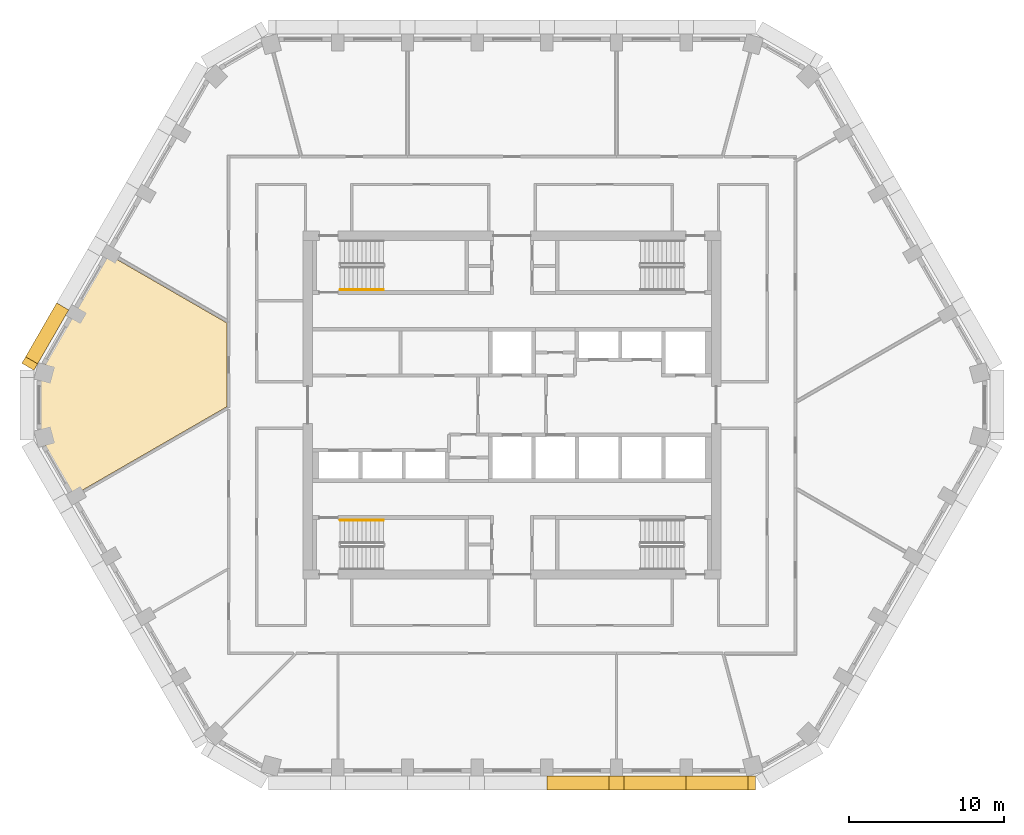
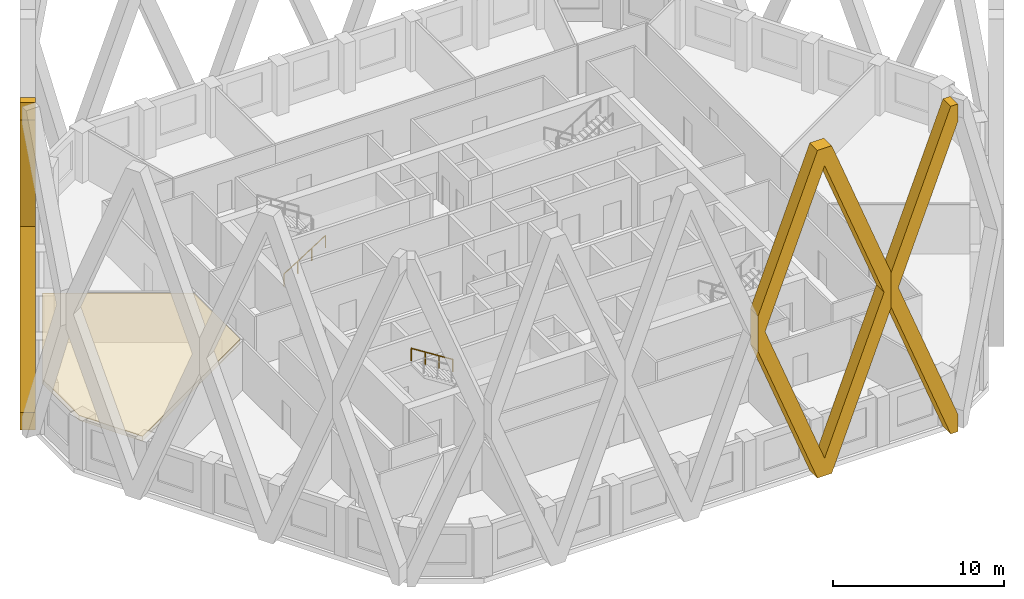
# One storey, part 11 of 16: 4 coverings, 2 railings.
"""IFC4 building model written with IfcOpenShell, lengths in metres."""

from ifc_helpers import new_model, si_unit, direction, frame, origin, origin_2d, place, context, subcontext, project, spatial, polyline, circle, outline, extrude, material, layer, layer_set, type_object, element, save


model = new_model("IFC4")

# Units and contexts
model_context = context("Model", 3, precision=1e-05, world=origin(), true_north=direction((0.0, 1.0)))
body_context = subcontext(model_context, "Body", "Model", "MODEL_VIEW")
ifc_project = project(units=[si_unit("LENGTHUNIT", "METRE"), si_unit("AREAUNIT", "SQUARE_METRE"), si_unit("VOLUMEUNIT", "CUBIC_METRE"), si_unit("PLANEANGLEUNIT", "RADIAN"), si_unit("MASSUNIT", "GRAM", prefix="KILO")], contexts=[model_context])

# Site, building, storey
site_placement = place(None, origin())
site = spatial("IfcSite", under=ifc_project, at=site_placement, CompositionType="ELEMENT")
building_placement = place(site_placement, origin())
building = spatial("IfcBuilding", under=site, at=building_placement, Name="Dhurran Vertical Campus", CompositionType="ELEMENT")
storey_placement = place(building_placement, frame((0.0, 0.0, 183.89990234375)))
storey = spatial("IfcBuildingStorey", under=building, at=storey_placement, Name="L45", CompositionType="ELEMENT", Elevation=183.89990234375)

# Coverings
ifc_material_1 = material(Name="Precast concrete C50/60", Category="concrete")
covering_type_1 = type_object("IfcCoveringType", Name="Folded precast fin lattice diamond", PredefinedType="USERDEFINED", material=ifc_material_1)
covering_1_placement = place(storey_placement, frame((2.25, -23.985595703125, 0.0), z_axis=(0.0, -1.0, 0.0), x_axis=(1.0, 0.0, 0.0)))
element("IfcCovering", 1, at=covering_1_placement, inside=storey, type_object=covering_type_1, Name="FN1 L45.003", ObjectType="FIN", PredefinedType="USERDEFINED", context=body_context, shape_type="SweptSolid", body=[
    extrude(outline(polyline([(9.0, 12.95361328125), (9.0, 10.4462890625), (4.982177734375, 0.0), (4.017822265625, 0.0), (0.0, 10.4462890625), (0.0, 12.95361328125), (4.017822265625, 23.39990234375), (4.982177734375, 23.39990234375), (9.0, 12.95361328125)]), holes=[polyline([(8.517822265625, 11.699951171875), (4.5, 22.146484375), (0.482177734375, 11.699951171875), (4.5, 1.253662109375), (8.517822265625, 11.699951171875)])]), origin(), (0.0, 0.0, 1.0), 0.89990234375),
])
for number, where, z_axis, x_axis, name in (
    (2, (11.25, -23.985595703125, 0.0), (0.0, -1.0, 0.0), (1.0, 0.0, 0.0), "FN1 L45.004"),
    (3, (-28.647216796875, 6.147216796875, 0.0), (-0.866013897511, 0.50001992892, 0.0), (-0.50001992892, -0.866013897511, 0.0), "FN1 L45.021"),
):
    element("IfcCovering", number, at=place(storey_placement, frame(where, z_axis=z_axis, x_axis=x_axis)), inside=storey, type_object=covering_type_1, Name=name, ObjectType="FIN", PredefinedType="USERDEFINED", context=body_context, shape_type="SweptSolid", body=[
        extrude(outline(polyline([(4.017822265625, 0.0), (0.0, 10.4462890625), (0.0, 12.95361328125), (4.017822265625, 23.39990234375), (4.5, 23.39990234375), (4.5, 22.146484375), (0.482177734375, 11.699951171875), (4.5, 1.253662109375), (4.5, 0.0), (4.017822265625, 0.0)])), origin(), (0.0, 0.0, 1.0), 0.89990234375),
    ])

# Railings
ifc_material_2 = material(Name="Stainless steel handrail", Category="steel")
railing_type = type_object("IfcRailingType", Name="co-RL-HANDRAIL-900", PredefinedType="HANDRAIL", material=ifc_material_2)
railing_1_placement = place(storey_placement, frame((-11.10009765625, 7.449951171875, 0.177490234375)))
element("IfcRailing", 4, at=railing_1_placement, inside=storey, type_object=railing_type, Name="L45 ST1 stair handrail 1", PredefinedType="HANDRAIL", context=body_context, shape_type="SweptSolid", body=[
    extrude(circle(Radius=0.02392578125, at=origin_2d()), frame((0.0, 0.0, 0.8759765625), z_axis=(0.844908973607, 0.0, 0.534910110503), x_axis=(0.0, 1.0, 0.0)), (0.0, 0.0, 1.0), 3.31396484375),
    extrude(circle(Radius=0.02099609375, at=origin_2d()), origin(), (0.0, 0.0, 1.0), 0.851806640625),
    extrude(circle(Radius=0.02099609375, at=origin_2d()), frame((0.933349609375, 0.0, 0.5908203125)), (0.0, 0.0, 1.0), 0.851806640625),
    extrude(circle(Radius=0.02099609375, at=origin_2d()), frame((1.86669921875, 0.0, 1.181884765625)), (0.0, 0.0, 1.0), 0.851806640625),
    extrude(circle(Radius=0.02099609375, at=origin_2d()), frame((2.800048828125, 0.0, 1.772705078125)), (0.0, 0.0, 1.0), 0.851806640625),
])
railing_2_placement = place(storey_placement, frame((-8.300048828125, -7.449951171875, 2.12744140625)))
element("IfcRailing", 5, at=railing_2_placement, inside=storey, type_object=railing_type, Name="L45 ST3 stair handrail 2", PredefinedType="HANDRAIL", context=body_context, shape_type="SweptSolid", body=[
    extrude(circle(Radius=0.02392578125, at=origin_2d()), frame((0.0, 0.0, 0.8759765625), z_axis=(-0.844908973607, 0.0, 0.534910110503), x_axis=(0.0, -1.0, 0.0)), (0.0, 0.0, 1.0), 3.31396484375),
    extrude(circle(Radius=0.02099609375, at=origin_2d()), origin(), (0.0, 0.0, 1.0), 0.851806640625),
    extrude(circle(Radius=0.02099609375, at=origin_2d()), frame((-0.933349609375, 0.0, 0.5908203125)), (0.0, 0.0, 1.0), 0.851806640625),
    extrude(circle(Radius=0.02099609375, at=origin_2d()), frame((-1.86669921875, 0.0, 1.181884765625)), (0.0, 0.0, 1.0), 0.851806640625),
    extrude(circle(Radius=0.02099609375, at=origin_2d()), frame((-2.800048828125, 0.0, 1.772705078125)), (0.0, 0.0, 1.0), 0.851806640625),
])

# Covering
ifc_material_3 = material(Name="Mineral fibre ceiling tiles on suspended grid")
ifc_layer = layer(ifc_material_3, 0.35009765625)
ifc_layer_set = layer_set([ifc_layer], Name="Mineral fibre ceiling tiles on suspended grid")
covering_type_2 = type_object("IfcCoveringType", Name="fl-CE-350 suspended ceiling", PredefinedType="CEILING", material=ifc_layer_set)
covering_2_placement = place(storey_placement, frame((0.0, 0.0, 3.2001953125)))
element("IfcCovering", 6, at=covering_2_placement, inside=storey, type_object=covering_type_2, Name="Ceiling 45-09", PredefinedType="CEILING", context=body_context, shape_type="SweptSolid", body=[
    extrude(outline(polyline([(-28.343017578125, -5.8330078125), (-30.47705078125, -2.137939453125), (-30.47705078125, 2.137939453125), (-26.093017578125, 9.72998046875), (-18.419921875, 5.300048828125), (-18.419921875, -0.10400390625), (-28.343017578125, -5.8330078125)])), origin(), (0.0, 0.0, 1.0), 0.349853515625),
])

save(model, "model.ifc")
